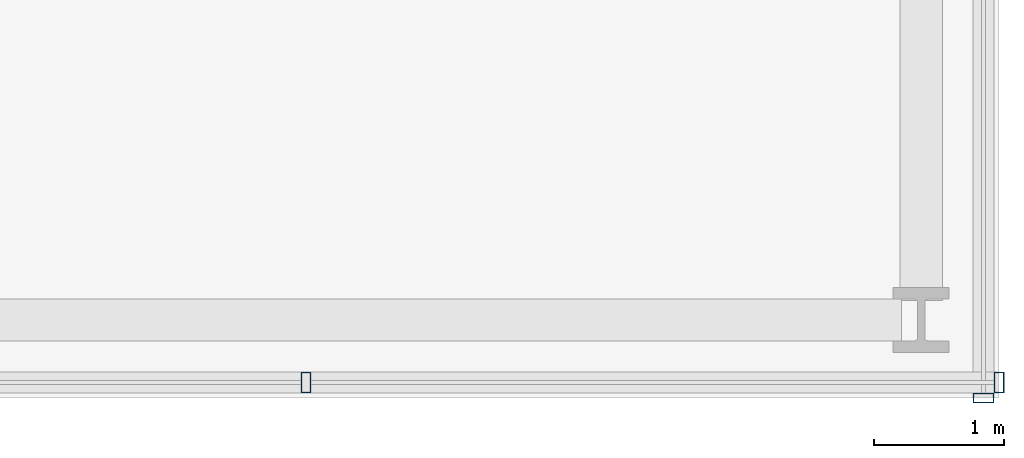
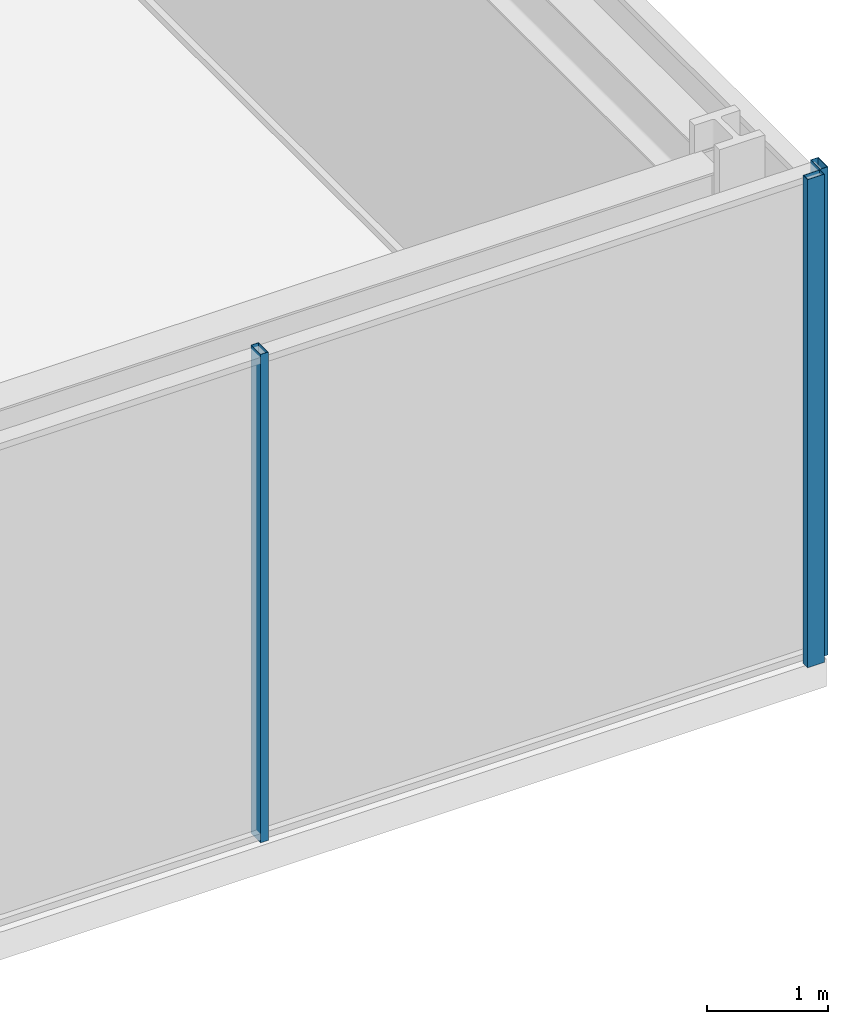
# One storey, part 22 of 49: 3 members, 2 elements without a shape of their own.
"""IFC4 building model written with IfcOpenShell, lengths in metres."""

from ifc_helpers import new_model, si_unit, direction, frame, origin, origin_2d, place, context, subcontext, project, spatial, hollow_rectangle, extrude, material, material_profile, profile_set, type_object, element, aggregate, save


model = new_model("IFC4")

# Units and contexts
model_context = context("Model", 3, precision=1e-05, world=origin(), true_north=direction((0.0, 1.0)))
body_context = subcontext(model_context, "Body", "Model", "MODEL_VIEW")
ifc_project = project(units=[si_unit("LENGTHUNIT", "METRE"), si_unit("AREAUNIT", "SQUARE_METRE"), si_unit("VOLUMEUNIT", "CUBIC_METRE"), si_unit("PLANEANGLEUNIT", "RADIAN"), si_unit("MASSUNIT", "GRAM", prefix="KILO")], contexts=[model_context])

# Site, building, storey
site_placement = place(None, origin())
site = spatial("IfcSite", under=ifc_project, at=site_placement, CompositionType="ELEMENT")
building_placement = place(site_placement, origin())
building = spatial("IfcBuilding", under=site, at=building_placement, Name="Kolvaren Belvedere", CompositionType="ELEMENT")
storey_placement = place(building_placement, frame((0.0, 0.0, 10.0)))
storey = spatial("IfcBuildingStorey", under=building, at=storey_placement, Name="L03", CompositionType="ELEMENT", Elevation=10.0)

# Curtain wall, members
ifc_material_1 = material(Name="Anodised pale-metal aluminium AA 6063-T6", Category="aluminium")
curtain_wall_type = type_object("IfcCurtainWallType", Name="CW-POD-A", PredefinedType="NOTDEFINED", material=ifc_material_1)
curtain_wall_1_placement = place(storey_placement, origin())
curtain_wall_1 = element("IfcCurtainWall", 1, at=curtain_wall_1_placement, inside=storey, type_object=curtain_wall_type, Name="L03 Unitised Curtain Wall FCW-L03-SEG5", PredefinedType="NOTDEFINED")
ifc_material_2 = material(Name="Anodised pale-metal aluminium AA 6063-T6", Category="aluminium")
ifc_material_profile = material_profile(ifc_material_2, hollow_rectangle(XDim=0.074951171875, YDim=0.159912109375, WallThickness=0.00439453125, at=origin_2d()), Name="ALU-MUL-160X75")
ifc_profile_set = profile_set([ifc_material_profile], Name="Anodised pale-metal aluminium AA 6063-T6")
member_type = type_object("IfcMemberType", Name="CW-MUL-160", PredefinedType="MULLION", material=ifc_profile_set)
member_1_placement = place(storey_placement, frame((28.0, -28.280029296875, 0.0), z_axis=(0.0, 0.0, 1.0), x_axis=(1.0, 0.0, 0.0)))
member_1 = element("IfcMember", 2, at=member_1_placement, type_object=member_type, Name="FCW-L03-SEG5 Unitised Mullion 1", PredefinedType="MULLION", context=body_context, shape_type="SweptSolid", body=[
    extrude(hollow_rectangle(XDim=0.074951171875, YDim=0.159912109375, WallThickness=0.00439453125, at=origin_2d()), origin(), (0.0, 0.0, 1.0), 4.919921875),
])
member_2_placement = place(storey_placement, frame((22.666748046875, -28.280029296875, 0.0), z_axis=(0.0, 0.0, 1.0), x_axis=(1.0, 0.0, 0.0)))
member_2 = element("IfcMember", 3, at=member_2_placement, type_object=member_type, Name="FCW-L03-SEG5 Unitised Mullion 2", PredefinedType="MULLION", context=body_context, shape_type="SweptSolid", body=[
    extrude(hollow_rectangle(XDim=0.074951171875, YDim=0.159912109375, WallThickness=0.00439453125, at=origin_2d()), origin(), (0.0, 0.0, 1.0), 4.919921875),
])
aggregate(curtain_wall_1, [member_1, member_2])

# Curtain wall, member
curtain_wall_2_placement = place(storey_placement, origin())
curtain_wall_2 = element("IfcCurtainWall", 4, at=curtain_wall_2_placement, inside=storey, type_object=curtain_wall_type, Name="L03 Unitised Curtain Wall FCW-L03-SEG6", PredefinedType="NOTDEFINED")
member_3_placement = place(storey_placement, frame((27.8798828125, -28.39990234375, 0.0), z_axis=(0.0, 0.0, 1.0), x_axis=(0.0, 1.0, 0.0)))
member_3 = element("IfcMember", 5, at=member_3_placement, type_object=member_type, Name="FCW-L03-SEG6 Unitised Mullion 5", PredefinedType="MULLION", context=body_context, shape_type="SweptSolid", body=[
    extrude(hollow_rectangle(XDim=0.074951171875, YDim=0.159912109375, WallThickness=0.00439453125, at=origin_2d()), origin(), (0.0, 0.0, 1.0), 4.919921875),
])
aggregate(curtain_wall_2, [member_3])

save(model, "model.ifc")
